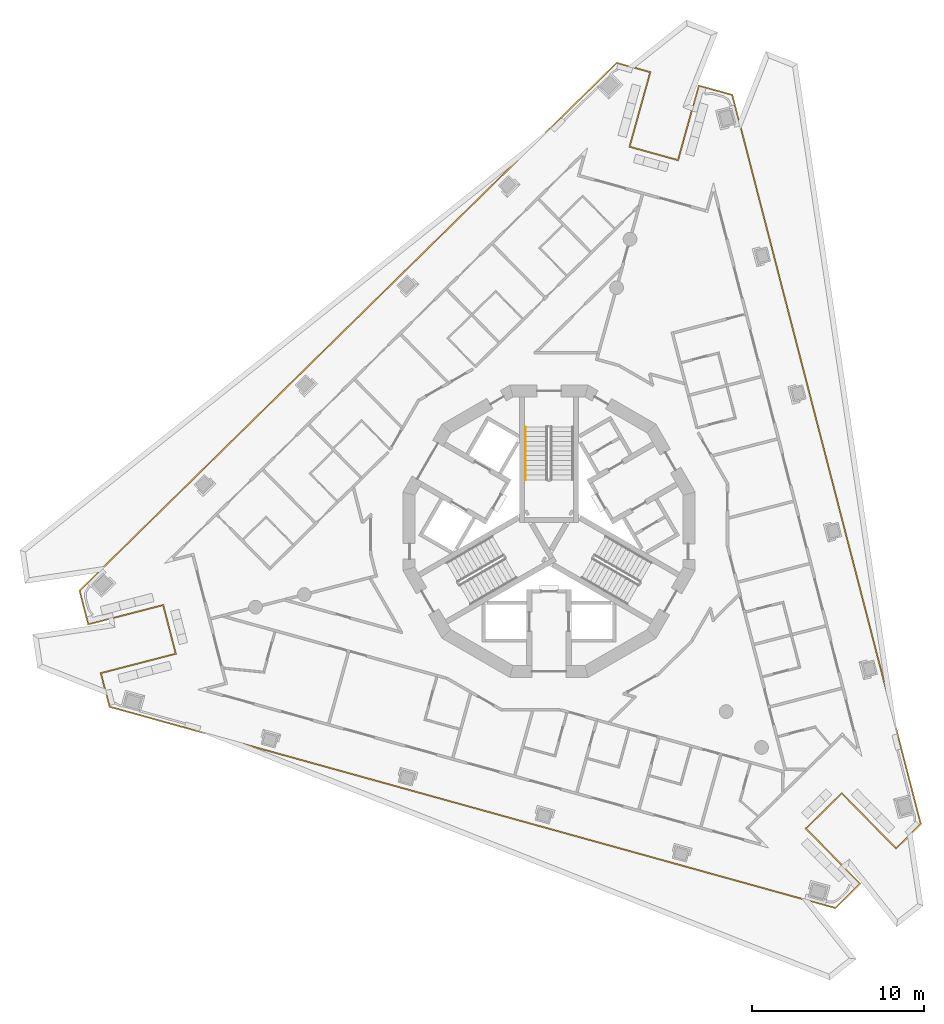
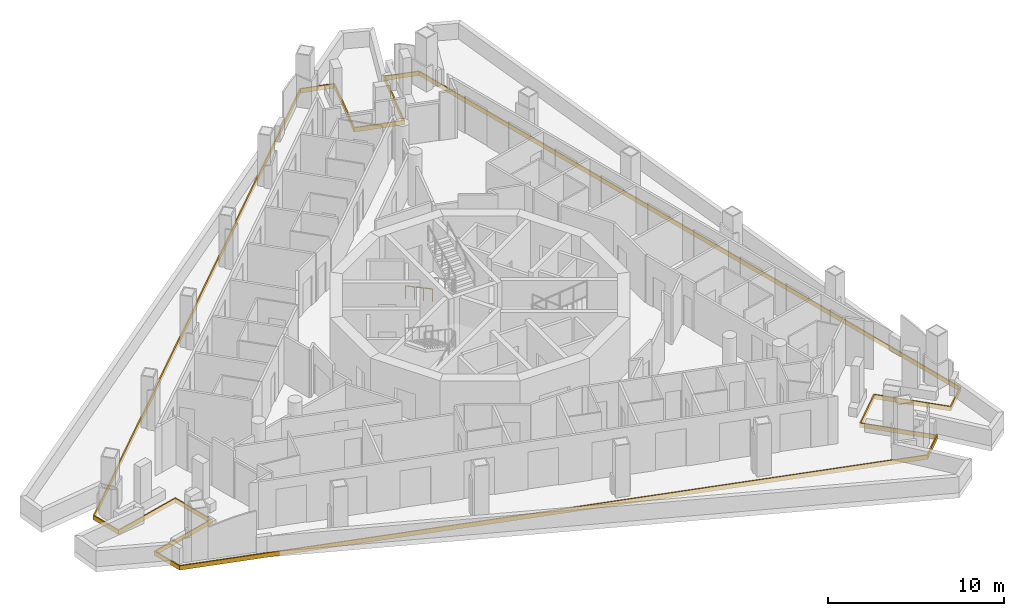
# One storey, part 11 of 14: 1 covering, 1 railing.
"""IFC4 building model written with IfcOpenShell, lengths in metres."""

from ifc_helpers import new_model, si_unit, direction, frame, origin, origin_2d, place, context, subcontext, project, spatial, polyline, circle, outline, extrude, material, layer, layer_set, type_object, element, save


model = new_model("IFC4")

# Units and contexts
model_context = context("Model", 3, precision=1e-05, world=origin(), true_north=direction((0.0, 1.0)))
body_context = subcontext(model_context, "Body", "Model", "MODEL_VIEW")
ifc_project = project(units=[si_unit("LENGTHUNIT", "METRE"), si_unit("AREAUNIT", "SQUARE_METRE"), si_unit("VOLUMEUNIT", "CUBIC_METRE"), si_unit("PLANEANGLEUNIT", "RADIAN"), si_unit("MASSUNIT", "GRAM", prefix="KILO")], contexts=[model_context])

# Site, building, storey
site_placement = place(None, origin())
site = spatial("IfcSite", under=ifc_project, at=site_placement, CompositionType="ELEMENT")
building_placement = place(site_placement, origin())
building = spatial("IfcBuilding", under=site, at=building_placement, Name="Trine Commons Tower", CompositionType="ELEMENT")
storey_placement = place(building_placement, frame((0.0, 0.0, 234.89990234375)))
storey = spatial("IfcBuildingStorey", under=building, at=storey_placement, Name="L61", CompositionType="ELEMENT", Elevation=234.89990234375)

# Covering
ifc_material_1 = material(Name="Limestone, honed", Category="masonry")
ifc_layer = layer(ifc_material_1, 0.074951171875)
ifc_layer_set = layer_set([ifc_layer], Name="Limestone, honed")
covering_type = type_object("IfcCoveringType", Name="Limestone spandrel panel 75", PredefinedType="CLADDING", material=ifc_layer_set)
covering_placement = place(storey_placement, frame((0.0, 0.0, -0.2998046875)))
element("IfcCovering", 1, at=covering_placement, inside=storey, type_object=covering_type, Name="Limestone spandrel panel 7-01", PredefinedType="CLADDING", context=body_context, shape_type="SweptSolid", body=[
    extrude(outline(polyline([(97.018310546875, 47.215087890625), (100.172607421875, 44.00537109375), (101.65771484375, 45.465087890625), (90.68359375, 87.899169921875), (88.677001953125, 88.45556640625), (87.474365234375, 84.119140625), (84.72802734375, 84.880859375), (85.9306640625, 89.21728515625), (83.923828125, 89.773681640625), (52.662109375, 59.052734375), (53.183349609375, 57.03662109375), (57.5400390625, 58.163330078125), (58.253662109375, 55.404052734375), (53.89697265625, 54.27734375), (54.418212890625, 52.26123046875), (96.654541015625, 40.548095703125), (98.1396484375, 42.0078125), (94.985595703125, 45.21728515625), (97.018310546875, 47.215087890625)]), holes=[polyline([(88.72900390625, 88.36328125), (90.621826171875, 87.83837890625), (101.57421875, 45.488037109375), (100.17333984375, 44.111572265625), (97.019287109375, 47.321044921875), (94.879638671875, 45.218505859375), (98.03369140625, 42.0087890625), (96.6328125, 40.632080078125), (54.47998046875, 52.322021484375), (53.98828125, 54.2236328125), (58.344970703125, 55.350341796875), (57.593994140625, 58.254638671875), (53.2373046875, 57.1279296875), (52.745361328125, 59.029541015625), (83.945556640625, 89.68994140625), (85.838134765625, 89.1650390625), (84.6357421875, 84.82861328125), (87.526611328125, 84.02685546875), (88.72900390625, 88.36328125)])]), origin(), (0.0, 0.0, 1.0), 0.2998046875),
])

# Railing
ifc_material_2 = material(Name="Stainless steel handrail", Category="steel")
railing_type = type_object("IfcRailingType", Name="Stair handrail, steel 900", PredefinedType="HANDRAIL", material=ifc_material_2)
railing_placement = place(storey_placement, frame((78.625, 68.570556640625, 0.150146484375)))
element("IfcRailing", 2, at=railing_placement, inside=storey, type_object=railing_type, Name="L61 ST1C stair handrail 1", PredefinedType="HANDRAIL", context=body_context, shape_type="SweptSolid", body=[
    extrude(circle(Radius=0.02099609375, at=origin_2d()), frame((0.0, 0.0, 0.87890625), z_axis=(0.0, -0.881496589024, 0.472190389079), x_axis=(1.0, 0.0, 0.0)), (0.0, 0.0, 1.0), 3.494140625),
    extrude(circle(Radius=0.01513671875, at=origin_2d()), origin(), (0.0, 0.0, 1.0), 0.85791015625),
    extrude(circle(Radius=0.01513671875, at=origin_2d()), frame((0.0, -1.026611328125, 0.550048828125)), (0.0, 0.0, 1.0), 0.85791015625),
    extrude(circle(Radius=0.01513671875, at=origin_2d()), frame((0.0, -2.053466796875, 1.099853515625)), (0.0, 0.0, 1.0), 0.85791015625),
    extrude(circle(Radius=0.01513671875, at=origin_2d()), frame((0.0, -3.080078125, 1.64990234375)), (0.0, 0.0, 1.0), 0.85791015625),
])

save(model, "model.ifc")
